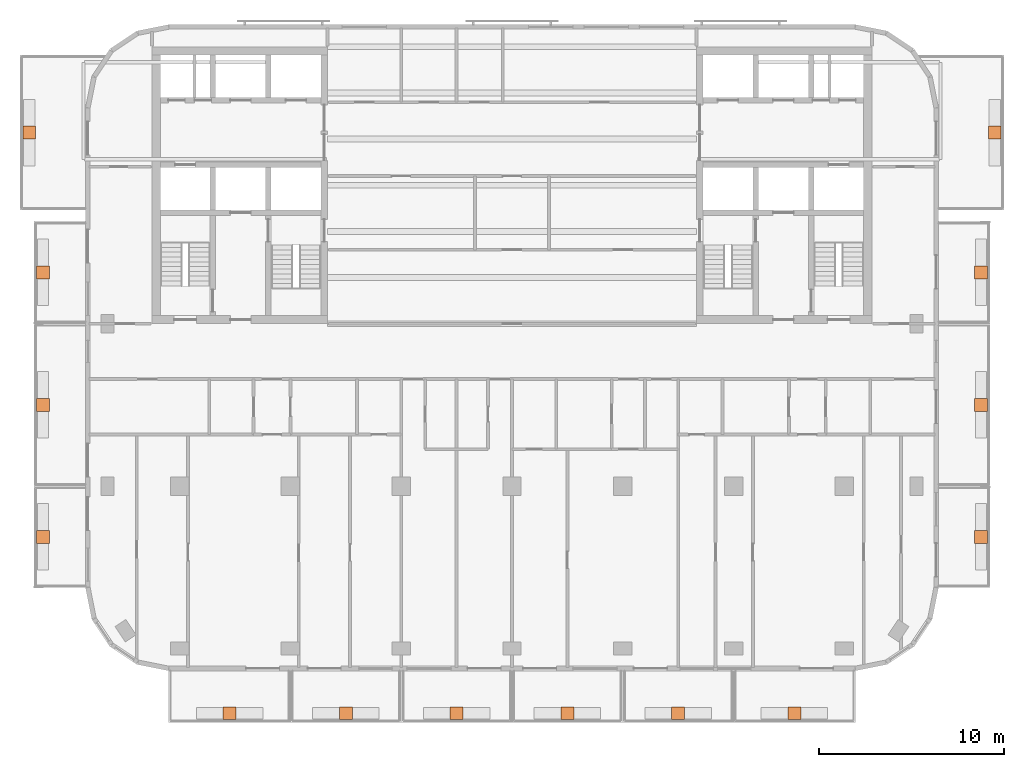
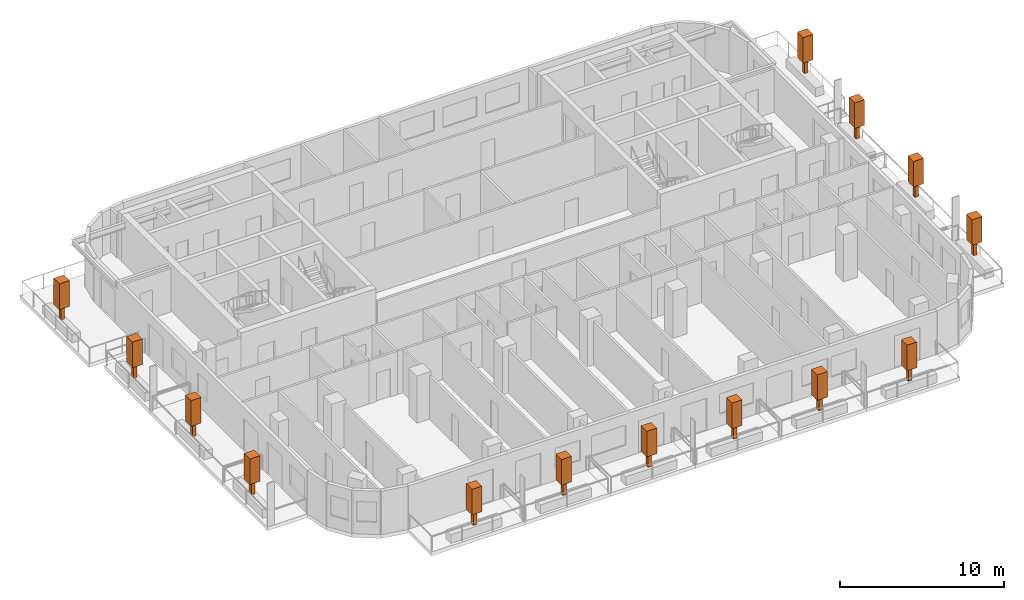
# One storey, part 11 of 11: 14 geographic elements.
"""IFC4 building model written with IfcOpenShell, lengths in metres."""

from ifc_helpers import new_model, si_unit, direction, frame, origin, origin_2d, place, context, subcontext, project, spatial, rectangle, extrude, material, element, save


model = new_model("IFC4")

# Units and contexts
model_context = context("Model", 3, precision=1e-05, world=origin(), true_north=direction((0.0, 1.0)))
body_context = subcontext(model_context, "Body", "Model", "MODEL_VIEW")
ifc_project = project(units=[si_unit("LENGTHUNIT", "METRE"), si_unit("AREAUNIT", "SQUARE_METRE"), si_unit("VOLUMEUNIT", "CUBIC_METRE"), si_unit("PLANEANGLEUNIT", "RADIAN"), si_unit("MASSUNIT", "GRAM", prefix="KILO")], contexts=[model_context])

# Site, building, storey
site_placement = place(None, origin())
site = spatial("IfcSite", under=ifc_project, at=site_placement, CompositionType="ELEMENT")
building_placement = place(site_placement, origin())
building = spatial("IfcBuilding", under=site, at=building_placement, Name="Torana Hotel and Residences", CompositionType="ELEMENT")
storey_placement = place(building_placement, frame((0.0, 0.0, 298.10009765625)))
storey = spatial("IfcBuildingStorey", under=building, at=storey_placement, Name="L79", CompositionType="ELEMENT", Elevation=298.10009765625)

# Geographic elements
ifc_material = material(Name="Foliage", Category="planting")
for number, where, z_axis, x_axis, name in (
    (1, (-15.300048828125, -36.10009765625, 0.64990234375), (0.0, 0.0, 1.0), (1.0, 0.0, 0.0), "Tree 01"),
    (2, (-9.0, -36.10009765625, 0.64990234375), (0.0, 0.0, 1.0), (1.0, 0.0, 0.0), "Tree 02"),
    (3, (-3.0, -36.10009765625, 0.64990234375), (0.0, 0.0, 1.0), (1.0, 0.0, 0.0), "Tree 03"),
    (4, (3.0, -36.10009765625, 0.64990234375), (0.0, 0.0, 1.0), (1.0, 0.0, 0.0), "Tree 04"),
    (5, (9.0, -36.10009765625, 0.64990234375), (0.0, 0.0, 1.0), (1.0, 0.0, 0.0), "Tree 05"),
    (6, (15.300048828125, -36.10009765625, 0.64990234375), (0.0, 0.0, 1.0), (1.0, 0.0, 0.0), "Tree 06"),
    (7, (-25.39990234375, -26.550048828125, 0.64990234375), (0.0, 0.0, 1.0), (1.0, 0.0, 0.0), "Tree 07"),
    (8, (-25.39990234375, -19.39990234375, 0.64990234375), (0.0, 0.0, 1.0), (1.0, 0.0, 0.0), "Tree 08"),
    (9, (-25.39990234375, -12.22509765625, 0.64990234375), (0.0, 0.0, 1.0), (1.0, 0.0, 0.0), "Tree 09"),
    (10, (-26.14990234375, -4.64990234375, 0.64990234375), (0.0, 0.0, 1.0), (1.0, 0.0, 0.0), "Tree 10"),
    (11, (25.39990234375, -26.550048828125, 0.64990234375), (0.0, 0.0, 1.0), (1.0, 0.0, 0.0), "Tree 11"),
    (12, (25.39990234375, -19.39990234375, 0.64990234375), (0.0, 0.0, 1.0), (1.0, 0.0, 0.0), "Tree 12"),
    (13, (25.39990234375, -12.22509765625, 0.64990234375), (0.0, 0.0, 1.0), (1.0, 0.0, 0.0), "Tree 13"),
    (14, (26.14990234375, -4.64990234375, 0.64990234375), (0.0, 0.0, 1.0), (1.0, 0.0, 0.0), "Tree 14"),
):
    element("IfcGeographicElement", number, at=place(storey_placement, frame(where, z_axis=z_axis, x_axis=x_axis)), inside=storey, material=ifc_material, Name=name, ObjectType="TREE", PredefinedType="USERDEFINED", context=body_context, shape_type="SweptSolid", body=[
        extrude(rectangle(XDim=0.25, YDim=0.25, at=origin_2d()), origin(), (0.0, 0.0, 1.0), 1.0),
        extrude(rectangle(XDim=0.699951171875, YDim=0.699951171875, at=origin_2d()), frame((0.0, 0.0, 1.0)), (0.0, 0.0, 1.0), 1.89990234375),
    ])

save(model, "model.ifc")
